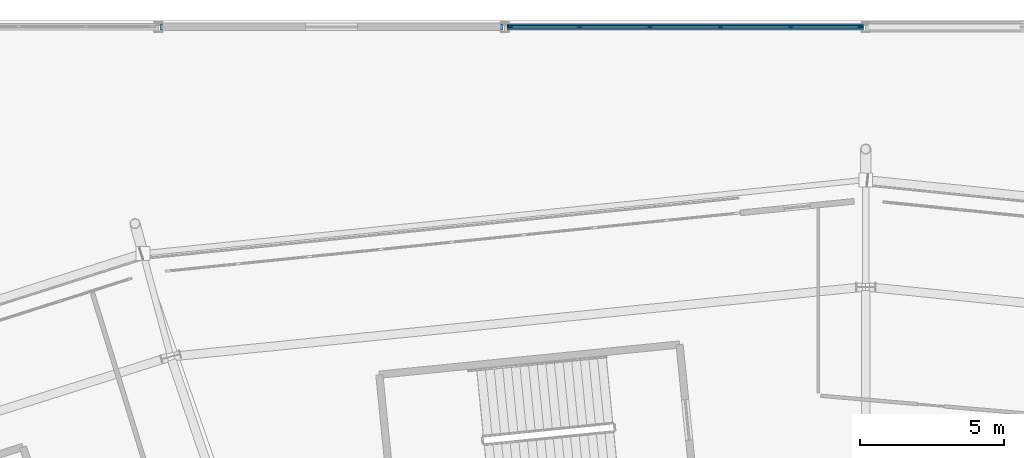
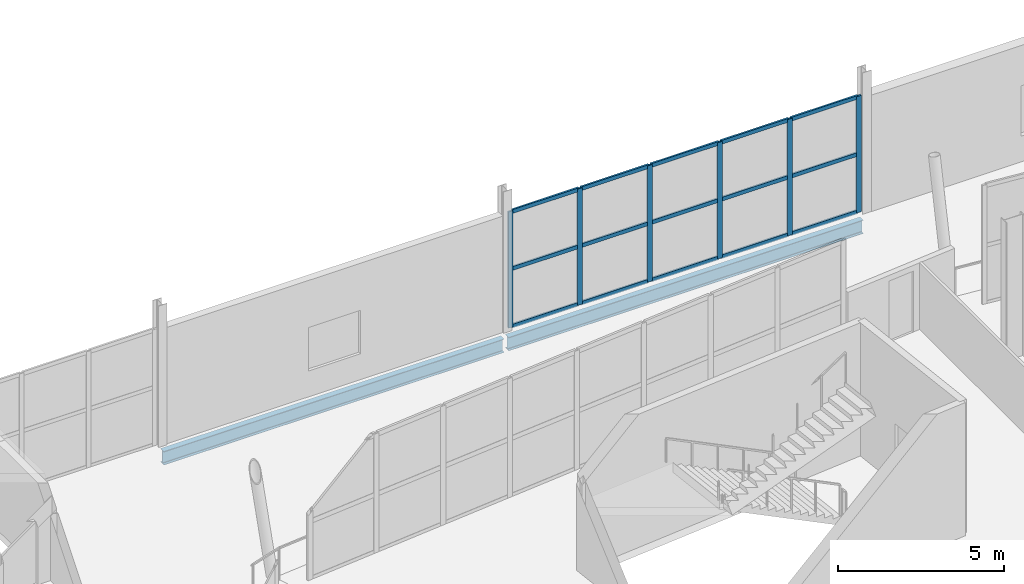
# One storey, part 73 of 168: 21 members, 2 beams, 1 element without a shape of its own.
"""IFC4 building model written with IfcOpenShell, lengths in metres."""

from ifc_helpers import new_model, si_unit, direction, frame, origin, origin_2d, place, context, subcontext, project, spatial, rectangle, i_section, extrude, material, material_profile, profile_set, type_object, element, aggregate, save


model = new_model("IFC4")

# Units and contexts
model_context = context("Model", 3, precision=1e-05, world=origin(), true_north=direction((0.0, 1.0)))
body_context = subcontext(model_context, "Body", "Model", "MODEL_VIEW")
ifc_project = project(units=[si_unit("LENGTHUNIT", "METRE"), si_unit("AREAUNIT", "SQUARE_METRE"), si_unit("VOLUMEUNIT", "CUBIC_METRE"), si_unit("PLANEANGLEUNIT", "RADIAN"), si_unit("MASSUNIT", "GRAM", prefix="KILO")], contexts=[model_context])

# Site, building, storey
site_placement = place(None, origin())
site = spatial("IfcSite", under=ifc_project, at=site_placement, CompositionType="ELEMENT")
building_placement = place(site_placement, origin())
building = spatial("IfcBuilding", under=site, at=building_placement, Name="Zlatoyarsky Gate Stadium", CompositionType="ELEMENT")
storey_placement = place(building_placement, frame((0.0, 0.0, 15.60009765625)))
storey = spatial("IfcBuildingStorey", under=building, at=storey_placement, Name="L03", CompositionType="ELEMENT", Elevation=15.60009765625)

# Curtain wall, members
ifc_material_1 = material(Name="Thermally broken anodised aluminium curtain wall", Category="aluminium")
curtain_wall_type = type_object("IfcCurtainWallType", Name="WINTER GARDEN CONSERVATORY GLAZING", PredefinedType="USERDEFINED", material=ifc_material_1)
curtain_wall_placement = place(storey_placement, origin())
curtain_wall = element("IfcCurtainWall", 1, at=curtain_wall_placement, inside=storey, type_object=curtain_wall_type, Name="Curtain wall CW-V2_NORTH-L03-154", ObjectType="UNITISED GLAZING", PredefinedType="USERDEFINED")
ifc_material_2 = material(Name="Anodised aluminium 6063-T6", Category="aluminium")
ifc_material_profile_1 = material_profile(ifc_material_2, rectangle(XDim=0.06494140625, YDim=0.159912109375, at=origin_2d()), Name="ALU 65X160")
ifc_profile_set_1 = profile_set([ifc_material_profile_1], Name="Anodised aluminium 6063-T6")
member_type_1 = type_object("IfcMemberType", Name="ALUMINIUM MULLION 65X160", PredefinedType="MULLION", material=ifc_profile_set_1)
member_1_placement = place(storey_placement, frame((98.694580078125, 160.0, 0.0), z_axis=(0.0, 0.0, 1.0), x_axis=(0.0, 1.0, 0.0)))
member_1 = element("IfcMember", 2, at=member_1_placement, type_object=member_type_1, Name="CW-WG1 mullion 1", PredefinedType="MULLION", context=body_context, shape_type="SweptSolid", body=[
    extrude(rectangle(XDim=0.06494140625, YDim=0.159912109375, at=origin_2d()), origin(), (0.0, 0.0, 1.0), 4.27978515625),
])
member_2_placement = place(storey_placement, frame((101.09716796875, 160.0, 0.0), z_axis=(0.0, 0.0, 1.0), x_axis=(0.0, 1.0, 0.0)))
member_2 = element("IfcMember", 3, at=member_2_placement, type_object=member_type_1, Name="CW-WG1 mullion 2", PredefinedType="MULLION", context=body_context, shape_type="SweptSolid", body=[
    extrude(rectangle(XDim=0.06494140625, YDim=0.159912109375, at=origin_2d()), origin(), (0.0, 0.0, 1.0), 4.27978515625),
])
member_3_placement = place(storey_placement, frame((103.532470703125, 160.0, 0.0), z_axis=(0.0, 0.0, 1.0), x_axis=(0.0, 1.0, 0.0)))
member_3 = element("IfcMember", 4, at=member_3_placement, type_object=member_type_1, Name="CW-WG1 mullion 3", PredefinedType="MULLION", context=body_context, shape_type="SweptSolid", body=[
    extrude(rectangle(XDim=0.06494140625, YDim=0.159912109375, at=origin_2d()), origin(), (0.0, 0.0, 1.0), 4.27978515625),
])
member_4_placement = place(storey_placement, frame((105.967529296875, 160.0, 0.0), z_axis=(0.0, 0.0, 1.0), x_axis=(0.0, 1.0, 0.0)))
member_4 = element("IfcMember", 5, at=member_4_placement, type_object=member_type_1, Name="CW-WG1 mullion 4", PredefinedType="MULLION", context=body_context, shape_type="SweptSolid", body=[
    extrude(rectangle(XDim=0.06494140625, YDim=0.159912109375, at=origin_2d()), origin(), (0.0, 0.0, 1.0), 4.27978515625),
])
member_5_placement = place(storey_placement, frame((108.40283203125, 160.0, 0.0), z_axis=(0.0, 0.0, 1.0), x_axis=(0.0, 1.0, 0.0)))
member_5 = element("IfcMember", 6, at=member_5_placement, type_object=member_type_1, Name="CW-WG1 mullion 5", PredefinedType="MULLION", context=body_context, shape_type="SweptSolid", body=[
    extrude(rectangle(XDim=0.06494140625, YDim=0.159912109375, at=origin_2d()), origin(), (0.0, 0.0, 1.0), 4.27978515625),
])
member_6_placement = place(storey_placement, frame((110.805419921875, 160.0, 0.0), z_axis=(0.0, 0.0, 1.0), x_axis=(0.0, 1.0, 0.0)))
member_6 = element("IfcMember", 7, at=member_6_placement, type_object=member_type_1, Name="CW-WG1 mullion 6", PredefinedType="MULLION", context=body_context, shape_type="SweptSolid", body=[
    extrude(rectangle(XDim=0.06494140625, YDim=0.159912109375, at=origin_2d()), origin(), (0.0, 0.0, 1.0), 4.27978515625),
])
ifc_material_profile_2 = material_profile(ifc_material_2, rectangle(XDim=0.06494140625, YDim=0.139892578125, at=origin_2d()), Name="ALU 65X140")
ifc_profile_set_2 = profile_set([ifc_material_profile_2], Name="Anodised aluminium 6063-T6")
member_type_2 = type_object("IfcMemberType", Name="ALUMINIUM TRANSOM 65X140", PredefinedType="USERDEFINED", material=ifc_profile_set_2)
member_7_placement = place(storey_placement, frame((98.72705078125, 160.0, 0.032470703125), z_axis=(1.0, 0.0, 0.0), x_axis=(0.0, 1.0, 0.0)))
member_7 = element("IfcMember", 8, at=member_7_placement, type_object=member_type_2, Name="CW-WG1 transom 1.1", ObjectType="TRANSOM", PredefinedType="USERDEFINED", context=body_context, shape_type="SweptSolid", body=[
    extrude(rectangle(XDim=0.06494140625, YDim=0.139892578125, at=origin_2d()), origin(), (0.0, 0.0, 1.0), 2.337646484375),
])
member_8_placement = place(storey_placement, frame((98.72705078125, 160.0, 2.14990234375), z_axis=(1.0, 0.0, 0.0), x_axis=(0.0, 1.0, 0.0)))
member_8 = element("IfcMember", 9, at=member_8_placement, type_object=member_type_2, Name="CW-WG1 transom 1.2", ObjectType="TRANSOM", PredefinedType="USERDEFINED", context=body_context, shape_type="SweptSolid", body=[
    extrude(rectangle(XDim=0.06494140625, YDim=0.139892578125, at=origin_2d()), origin(), (0.0, 0.0, 1.0), 2.337646484375),
])
member_9_placement = place(storey_placement, frame((98.72705078125, 160.0, 4.247314453125), z_axis=(1.0, 0.0, 0.0), x_axis=(0.0, 1.0, 0.0)))
member_9 = element("IfcMember", 10, at=member_9_placement, type_object=member_type_2, Name="CW-WG1 transom 1.3", ObjectType="TRANSOM", PredefinedType="USERDEFINED", context=body_context, shape_type="SweptSolid", body=[
    extrude(rectangle(XDim=0.06494140625, YDim=0.139892578125, at=origin_2d()), origin(), (0.0, 0.0, 1.0), 2.337646484375),
])
member_10_placement = place(storey_placement, frame((101.129638671875, 160.0, 0.032470703125), z_axis=(1.0, 0.0, 0.0), x_axis=(0.0, 1.0, 0.0)))
member_10 = element("IfcMember", 11, at=member_10_placement, type_object=member_type_2, Name="CW-WG1 transom 2.1", ObjectType="TRANSOM", PredefinedType="USERDEFINED", context=body_context, shape_type="SweptSolid", body=[
    extrude(rectangle(XDim=0.06494140625, YDim=0.139892578125, at=origin_2d()), origin(), (0.0, 0.0, 1.0), 2.370361328125),
])
member_11_placement = place(storey_placement, frame((101.129638671875, 160.0, 2.14990234375), z_axis=(1.0, 0.0, 0.0), x_axis=(0.0, 1.0, 0.0)))
member_11 = element("IfcMember", 12, at=member_11_placement, type_object=member_type_2, Name="CW-WG1 transom 2.2", ObjectType="TRANSOM", PredefinedType="USERDEFINED", context=body_context, shape_type="SweptSolid", body=[
    extrude(rectangle(XDim=0.06494140625, YDim=0.139892578125, at=origin_2d()), origin(), (0.0, 0.0, 1.0), 2.370361328125),
])
member_12_placement = place(storey_placement, frame((101.129638671875, 160.0, 4.247314453125), z_axis=(1.0, 0.0, 0.0), x_axis=(0.0, 1.0, 0.0)))
member_12 = element("IfcMember", 13, at=member_12_placement, type_object=member_type_2, Name="CW-WG1 transom 2.3", ObjectType="TRANSOM", PredefinedType="USERDEFINED", context=body_context, shape_type="SweptSolid", body=[
    extrude(rectangle(XDim=0.06494140625, YDim=0.139892578125, at=origin_2d()), origin(), (0.0, 0.0, 1.0), 2.370361328125),
])
member_13_placement = place(storey_placement, frame((103.56494140625, 160.0, 0.032470703125), z_axis=(1.0, 0.0, 0.0), x_axis=(0.0, 1.0, 0.0)))
member_13 = element("IfcMember", 14, at=member_13_placement, type_object=member_type_2, Name="CW-WG1 transom 3.1", ObjectType="TRANSOM", PredefinedType="USERDEFINED", context=body_context, shape_type="SweptSolid", body=[
    extrude(rectangle(XDim=0.06494140625, YDim=0.139892578125, at=origin_2d()), origin(), (0.0, 0.0, 1.0), 2.3701171875),
])
member_14_placement = place(storey_placement, frame((103.56494140625, 160.0, 2.14990234375), z_axis=(1.0, 0.0, 0.0), x_axis=(0.0, 1.0, 0.0)))
member_14 = element("IfcMember", 15, at=member_14_placement, type_object=member_type_2, Name="CW-WG1 transom 3.2", ObjectType="TRANSOM", PredefinedType="USERDEFINED", context=body_context, shape_type="SweptSolid", body=[
    extrude(rectangle(XDim=0.06494140625, YDim=0.139892578125, at=origin_2d()), origin(), (0.0, 0.0, 1.0), 2.3701171875),
])
member_15_placement = place(storey_placement, frame((103.56494140625, 160.0, 4.247314453125), z_axis=(1.0, 0.0, 0.0), x_axis=(0.0, 1.0, 0.0)))
member_15 = element("IfcMember", 16, at=member_15_placement, type_object=member_type_2, Name="CW-WG1 transom 3.3", ObjectType="TRANSOM", PredefinedType="USERDEFINED", context=body_context, shape_type="SweptSolid", body=[
    extrude(rectangle(XDim=0.06494140625, YDim=0.139892578125, at=origin_2d()), origin(), (0.0, 0.0, 1.0), 2.3701171875),
])
member_16_placement = place(storey_placement, frame((106.0, 160.0, 0.032470703125), z_axis=(1.0, 0.0, 0.0), x_axis=(0.0, 1.0, 0.0)))
member_16 = element("IfcMember", 17, at=member_16_placement, type_object=member_type_2, Name="CW-WG1 transom 4.1", ObjectType="TRANSOM", PredefinedType="USERDEFINED", context=body_context, shape_type="SweptSolid", body=[
    extrude(rectangle(XDim=0.06494140625, YDim=0.139892578125, at=origin_2d()), origin(), (0.0, 0.0, 1.0), 2.370361328125),
])
member_17_placement = place(storey_placement, frame((106.0, 160.0, 2.14990234375), z_axis=(1.0, 0.0, 0.0), x_axis=(0.0, 1.0, 0.0)))
member_17 = element("IfcMember", 18, at=member_17_placement, type_object=member_type_2, Name="CW-WG1 transom 4.2", ObjectType="TRANSOM", PredefinedType="USERDEFINED", context=body_context, shape_type="SweptSolid", body=[
    extrude(rectangle(XDim=0.06494140625, YDim=0.139892578125, at=origin_2d()), origin(), (0.0, 0.0, 1.0), 2.370361328125),
])
member_18_placement = place(storey_placement, frame((106.0, 160.0, 4.247314453125), z_axis=(1.0, 0.0, 0.0), x_axis=(0.0, 1.0, 0.0)))
member_18 = element("IfcMember", 19, at=member_18_placement, type_object=member_type_2, Name="CW-WG1 transom 4.3", ObjectType="TRANSOM", PredefinedType="USERDEFINED", context=body_context, shape_type="SweptSolid", body=[
    extrude(rectangle(XDim=0.06494140625, YDim=0.139892578125, at=origin_2d()), origin(), (0.0, 0.0, 1.0), 2.370361328125),
])
member_19_placement = place(storey_placement, frame((108.435302734375, 160.0, 0.032470703125), z_axis=(1.0, 0.0, 0.0), x_axis=(0.0, 1.0, 0.0)))
member_19 = element("IfcMember", 20, at=member_19_placement, type_object=member_type_2, Name="CW-WG1 transom 5.1", ObjectType="TRANSOM", PredefinedType="USERDEFINED", context=body_context, shape_type="SweptSolid", body=[
    extrude(rectangle(XDim=0.06494140625, YDim=0.139892578125, at=origin_2d()), origin(), (0.0, 0.0, 1.0), 2.337646484375),
])
member_20_placement = place(storey_placement, frame((108.435302734375, 160.0, 2.14990234375), z_axis=(1.0, 0.0, 0.0), x_axis=(0.0, 1.0, 0.0)))
member_20 = element("IfcMember", 21, at=member_20_placement, type_object=member_type_2, Name="CW-WG1 transom 5.2", ObjectType="TRANSOM", PredefinedType="USERDEFINED", context=body_context, shape_type="SweptSolid", body=[
    extrude(rectangle(XDim=0.06494140625, YDim=0.139892578125, at=origin_2d()), origin(), (0.0, 0.0, 1.0), 2.337646484375),
])
member_21_placement = place(storey_placement, frame((108.435302734375, 160.0, 4.247314453125), z_axis=(1.0, 0.0, 0.0), x_axis=(0.0, 1.0, 0.0)))
member_21 = element("IfcMember", 22, at=member_21_placement, type_object=member_type_2, Name="CW-WG1 transom 5.3", ObjectType="TRANSOM", PredefinedType="USERDEFINED", context=body_context, shape_type="SweptSolid", body=[
    extrude(rectangle(XDim=0.06494140625, YDim=0.139892578125, at=origin_2d()), origin(), (0.0, 0.0, 1.0), 2.337646484375),
])
aggregate(curtain_wall, [member_1, member_2, member_3, member_4, member_5, member_6, member_7, member_8, member_9, member_10, member_11, member_12, member_13, member_14, member_15, member_16, member_17, member_18, member_19, member_20, member_21])

# Beams
ifc_material_3 = material(Name="Steel S355", Category="steel")
ifc_material_profile_3 = material_profile(ifc_material_3, i_section(OverallWidth=0.199951171875, OverallDepth=0.5, WebThickness=0.01025390625, FlangeThickness=0.01611328125, FilletRadius=0.02099609375, at=origin_2d()), Name="IPE 500")
ifc_profile_set_3 = profile_set([ifc_material_profile_3], Name="Steel S355")
beam_type = type_object("IfcBeamType", Name="STEEL FLOOR BEAM IPE 500", PredefinedType="BEAM", material=ifc_profile_set_3)
beam_1_placement = place(storey_placement, frame((86.580078125, 160.0, -0.530029296875), z_axis=(1.0, 0.0, 0.0), x_axis=(0.0, 1.0, 0.0)))
element("IfcBeam", 23, at=beam_1_placement, inside=storey, type_object=beam_type, Name="Beam B-IPE500 BM-L03-WGX-8-Q", PredefinedType="BEAM", context=body_context, shape_type="SweptSolid", body=[
    extrude(i_section(OverallWidth=0.199951171875, OverallDepth=0.5, WebThickness=0.01025390625, FlangeThickness=0.01611328125, FilletRadius=0.02099609375, at=origin_2d()), origin(), (0.0, 0.0, 1.0), 11.83984375),
])
beam_2_placement = place(storey_placement, frame((98.580078125, 160.0, -0.530029296875), z_axis=(1.0, 0.0, 0.0), x_axis=(0.0, 1.0, 0.0)))
element("IfcBeam", 24, at=beam_2_placement, inside=storey, type_object=beam_type, Name="Beam B-IPE500 BM-L03-WGX-9-Q", PredefinedType="BEAM", context=body_context, shape_type="SweptSolid", body=[
    extrude(i_section(OverallWidth=0.199951171875, OverallDepth=0.5, WebThickness=0.01025390625, FlangeThickness=0.01611328125, FilletRadius=0.02099609375, at=origin_2d()), origin(), (0.0, 0.0, 1.0), 12.33984375),
])

save(model, "model.ifc")
